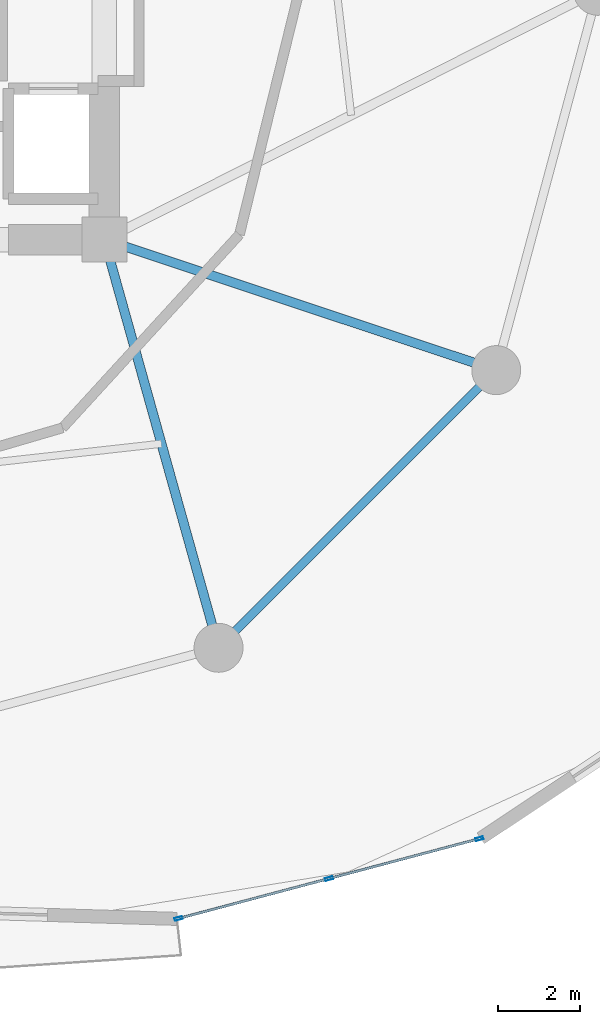
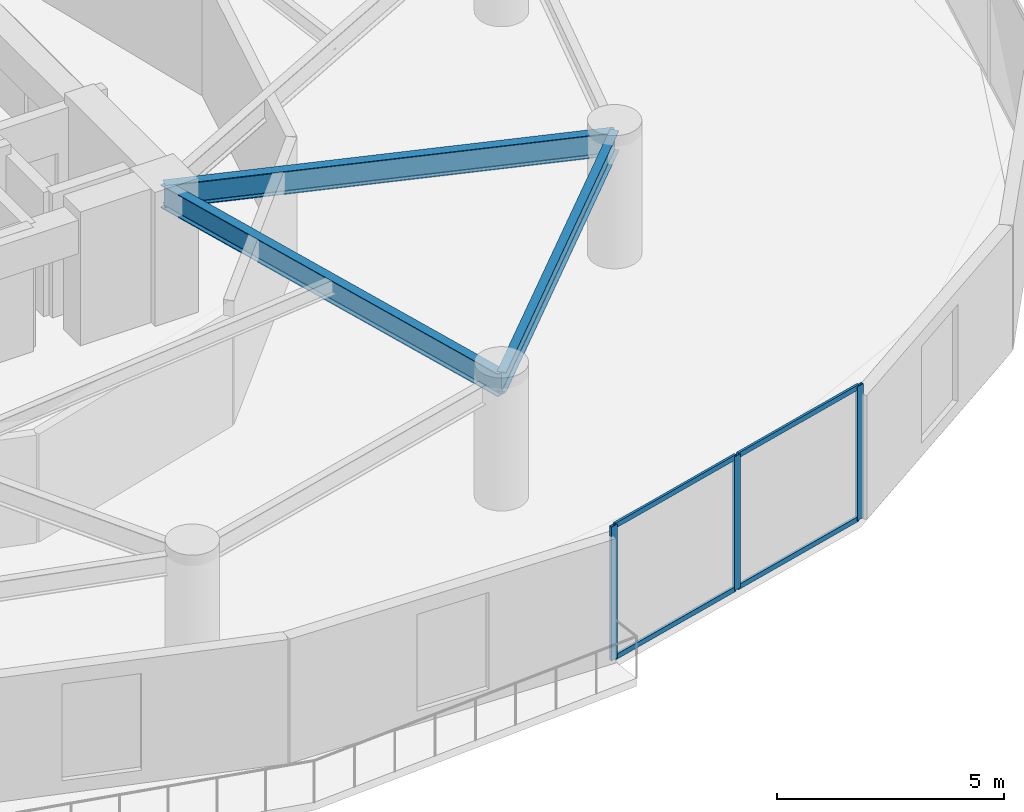
# One storey, part 8 of 24: 7 members, 3 beams, 1 element without a shape of its own.
"""IFC4 building model written with IfcOpenShell, lengths in metres."""

import ifcopenshell
import ifcopenshell.guid

model = None  # the IFC model being written
_history = None  # IfcOwnerHistory: only IFC2X3 demands one
_inside = {}  # id of a spatial element -> (the spatial element, [elements in it])
_under = {}  # id of a project, library or spatial element -> (it, [spatial elements below it])
_declared = {}  # id of a project -> (the project, [libraries it declares])
_typed = {}  # id of a type object -> (the type object, [elements of that type])
_made_of = {}  # id of a material, layer set ... -> (it, [elements and type objects made of it])


def new_model(schema):
    """Start an empty IFC model of exactly this schema.

    Asked for "IFC4X3", IfcOpenShell would pick the latest addendum, in which some entities
    have other attributes; the version numbers below select the first issue.
    IFC2X3 requires an IfcOwnerHistory on every rooted entity: one is made here for all.
    """
    global model, _history
    if schema == "IFC4X3":
        model = ifcopenshell.file(schema_version=(4, 3, 0, 0))
    else:
        model = ifcopenshell.file(schema=schema)
    _inside.clear()
    _under.clear()
    _declared.clear()
    _typed.clear()
    _made_of.clear()
    _history = None
    if model.schema == "IFC2X3":
        org = make("IfcOrganization", Name="unknown")
        user = make(
            "IfcPersonAndOrganization",
            ThePerson=make("IfcPerson", FamilyName="unknown"),
            TheOrganization=org,
        )
        app = make(
            "IfcApplication",
            ApplicationDeveloper=org,
            Version="unknown",
            ApplicationFullName="unknown",
            ApplicationIdentifier="unknown",
        )
        _history = make(
            "IfcOwnerHistory",
            OwningUser=user,
            OwningApplication=app,
            ChangeAction="ADDED",
            CreationDate=0,
        )
    return model


def make(cls, **values):
    """One entity of the class cls with the attributes given. An attribute that is None is left unset."""
    return model.create_entity(
        cls, **{name: value for name, value in values.items() if value is not None}
    )


def rooted(cls, **values):
    """An entity with a GlobalId (a new one), such as an element, a storey or a relation."""
    return make(cls, GlobalId=ifcopenshell.guid.new(), OwnerHistory=_history, **values)


def si_unit(unit_type, name, prefix=None):
    """IfcSIUnit, for example si_unit("LENGTHUNIT", "METRE", prefix="MILLI")."""
    return make("IfcSIUnit", UnitType=unit_type, Prefix=prefix, Name=name)


def assignment(units):
    """IfcUnitAssignment: the units of a project."""
    return None if units is None else make("IfcUnitAssignment", Units=units)


def point(xyz):
    """IfcCartesianPoint."""
    return None if xyz is None else make("IfcCartesianPoint", Coordinates=xyz)


def direction(xyz):
    """IfcDirection."""
    return None if xyz is None else make("IfcDirection", DirectionRatios=xyz)


def frame(location, z_axis=None, x_axis=None):
    """IfcAxis2Placement3D, a coordinate frame: its origin and axes. An axis left out is left unset."""
    return make(
        "IfcAxis2Placement3D",
        Location=point(location),
        Axis=direction(z_axis),
        RefDirection=direction(x_axis),
    )


def frame_2d(location, x_axis=None):
    """IfcAxis2Placement2D, a coordinate frame in the plane: its origin and x axis."""
    return make(
        "IfcAxis2Placement2D", Location=point(location), RefDirection=direction(x_axis)
    )


def origin():
    """The frame at (0, 0, 0) with its axes left unset."""
    return frame((0.0, 0.0, 0.0))


def origin_2d():
    """The frame at (0, 0) in the plane with its x axis left unset."""
    return frame_2d((0.0, 0.0))


def place(relative_to, where):
    """IfcLocalPlacement: puts the frame where relative to a parent placement (None: the world)."""
    return make(
        "IfcLocalPlacement", PlacementRelTo=relative_to, RelativePlacement=where
    )


def context(
    kind, dimensions, precision=None, world=None, true_north=None, identifier=None
):
    """IfcGeometricRepresentationContext, for example the 3D "Model" context."""
    return make(
        "IfcGeometricRepresentationContext",
        ContextIdentifier=identifier,
        ContextType=kind,
        CoordinateSpaceDimension=dimensions,
        Precision=precision,
        WorldCoordinateSystem=world,
        TrueNorth=true_north,
    )


def subcontext(parent, identifier, kind, view, scale=None):
    """IfcGeometricRepresentationSubContext, for example "Body" below "Model"."""
    return make(
        "IfcGeometricRepresentationSubContext",
        ContextIdentifier=identifier,
        ContextType=kind,
        ParentContext=parent,
        TargetScale=scale,
        TargetView=view,
    )


def project(units=None, contexts=None):
    """IfcProject with its units and contexts."""
    return rooted(
        "IfcProject",
        Name="project",
        RepresentationContexts=contexts,
        UnitsInContext=assignment(units),
    )


def spatial(cls, under=None, at=None, **own):
    """A site, building, storey or space (cls), placed at a placement, below another one or the project."""
    s = rooted(cls, ObjectPlacement=at, **own)
    if under is not None:
        _under.setdefault(under.id(), (under, []))[1].append(s)
    return s


def profile(cls, at=None, kind="AREA", **sizes):
    """A parametric profile (cls). Its sizes go by their IFC names, for example OverallWidth=200.0."""
    return make(cls, ProfileType=kind, Position=at, **sizes)


def hollow_rectangle(**sizes):
    """IfcRectangleHollowProfileDef."""
    return profile("IfcRectangleHollowProfileDef", **sizes)


def i_section(**sizes):
    """IfcIShapeProfileDef."""
    return profile("IfcIShapeProfileDef", **sizes)


def extrude(swept, where, along, depth):
    """IfcExtrudedAreaSolid: the profile swept, set in the frame where, extruded along a direction by depth."""
    return make(
        "IfcExtrudedAreaSolid",
        SweptArea=swept,
        Position=where,
        ExtrudedDirection=direction(along),
        Depth=depth,
    )


def shape(context_of_items, identifier, shape_type, items):
    """IfcShapeRepresentation: the items that make up one representation, for example the "Body"."""
    return make(
        "IfcShapeRepresentation",
        ContextOfItems=context_of_items,
        RepresentationIdentifier=identifier,
        RepresentationType=shape_type,
        Items=items,
    )


def source(mapping_origin, context_of_items, identifier, shape_type, items):
    """IfcRepresentationMap: a shape defined once, which mapped items show again and again."""
    return make(
        "IfcRepresentationMap",
        MappingOrigin=mapping_origin,
        MappedRepresentation=shape(context_of_items, identifier, shape_type, items),
    )


def transform(
    local_origin,
    x_axis=None,
    y_axis=None,
    z_axis=None,
    scale=None,
    scale2=None,
    scale3=None,
    uniform=True,
):
    """IfcCartesianTransformationOperator3D, or its non-uniform kind. x_axis, y_axis, z_axis: its Axis1, 2, 3."""
    if uniform:
        return make(
            "IfcCartesianTransformationOperator3D",
            Axis1=direction(x_axis),
            Axis2=direction(y_axis),
            LocalOrigin=point(local_origin),
            Scale=scale,
            Axis3=direction(z_axis),
        )
    return make(
        "IfcCartesianTransformationOperator3DnonUniform",
        Axis1=direction(x_axis),
        Axis2=direction(y_axis),
        LocalOrigin=point(local_origin),
        Scale=scale,
        Axis3=direction(z_axis),
        Scale2=scale2,
        Scale3=scale3,
    )


def mapped(mapping_source, mapping_target):
    """IfcMappedItem: shows the shape of a source again, moved by a transform."""
    return make(
        "IfcMappedItem", MappingSource=mapping_source, MappingTarget=mapping_target
    )


def material(Name=None, Category=None):
    """IfcMaterial."""
    return make("IfcMaterial", Name=Name, Category=Category)


def layer(
    of_material, thickness, ventilated=None, Name=None, Category=None, Priority=None
):
    """IfcMaterialLayer: one layer of a wall or slab, of a material (None: an air gap)."""
    return make(
        "IfcMaterialLayer",
        Material=of_material,
        LayerThickness=thickness,
        IsVentilated=ventilated,
        Name=Name,
        Category=Category,
        Priority=Priority,
    )


def layer_set(layers, Name=None):
    """IfcMaterialLayerSet."""
    return make("IfcMaterialLayerSet", MaterialLayers=layers, LayerSetName=Name)


def material_profile(
    of_material, cross_section, Name=None, Category=None, Priority=None
):
    """IfcMaterialProfile: a cross section and its material."""
    return make(
        "IfcMaterialProfile",
        Name=Name,
        Material=of_material,
        Profile=cross_section,
        Priority=Priority,
        Category=Category,
    )


def profile_set(profiles, Name=None, composite=None):
    """IfcMaterialProfileSet."""
    return make(
        "IfcMaterialProfileSet",
        Name=Name,
        MaterialProfiles=profiles,
        CompositeProfile=composite,
    )


def made_of(thing, what):
    """Note that an element or type object is made of a material, layer set ...; save() writes the relation."""
    if what is not None:
        _made_of.setdefault(what.id(), (what, []))[1].append(thing)
    return thing


def type_object(cls, material=None, **own):
    """A type object (cls), such as IfcWallType, which elements share."""
    return made_of(rooted(cls, **own), material)


def element(
    cls,
    number,
    at=None,
    inside=None,
    cuts=None,
    type_object=None,
    material=None,
    context=None,
    identifier="Body",
    shape_type=None,
    held_by="IfcProductDefinitionShape",
    body=None,
    shapes=None,
    **own,
):
    """One element of the class cls, such as IfcWall. Its Tag is "e" and its number.

    at: its placement. inside: the storey or other place that contains it. cuts: it is an
    opening in that element (IfcRelVoidsElement). A single representation is given by context,
    identifier, shape_type and body (its items); several are given by shapes. held_by: the class
    of the entity that holds the representations. save() writes the other relations.
    """
    e = rooted(cls, Tag="e%d" % number, ObjectPlacement=at, **own)
    if body is not None:
        shapes = [shape(context, identifier, shape_type, body)]
    if shapes is not None:
        e.Representation = make(held_by, Representations=shapes)
    if inside is not None:
        _inside.setdefault(inside.id(), (inside, []))[1].append(e)
    if cuts is not None:
        rooted(
            "IfcRelVoidsElement", RelatingBuildingElement=cuts, RelatedOpeningElement=e
        )
    if type_object is not None:
        _typed.setdefault(type_object.id(), (type_object, []))[1].append(e)
    return made_of(e, material)


def aggregate(whole, parts):
    """IfcRelAggregates: a whole, such as a stair, and the parts it consists of."""
    return rooted("IfcRelAggregates", RelatingObject=whole, RelatedObjects=parts)


def save(model, path):
    """Write the relations noted so far, then the file.

    IfcRelAggregates (storeys below a building ...), IfcRelContainedInSpatialStructure (elements
    in a storey), IfcRelDefinesByType, IfcRelAssociatesMaterial and IfcRelDeclares: one each for
    every whole, place, type object, material and project.
    """
    for whole, parts in _under.values():
        aggregate(whole, parts)
    for where, things in _inside.values():
        rooted(
            "IfcRelContainedInSpatialStructure",
            RelatedElements=things,
            RelatingStructure=where,
        )
    for kind, things in _typed.values():
        rooted("IfcRelDefinesByType", RelatedObjects=things, RelatingType=kind)
    for what, things in _made_of.values():
        rooted("IfcRelAssociatesMaterial", RelatedObjects=things, RelatingMaterial=what)
    for by, libraries in _declared.values():
        rooted("IfcRelDeclares", RelatingContext=by, RelatedDefinitions=libraries)
    model.write(path)


model = new_model("IFC4")

# Units and contexts
model_context = context("Model", 3, precision=1e-05, world=origin(), true_north=direction((0.0, 1.0)))
body_context = subcontext(model_context, "Body", "Model", "MODEL_VIEW")
ifc_project = project(units=[si_unit("LENGTHUNIT", "METRE"), si_unit("AREAUNIT", "SQUARE_METRE"), si_unit("VOLUMEUNIT", "CUBIC_METRE"), si_unit("PLANEANGLEUNIT", "RADIAN"), si_unit("MASSUNIT", "GRAM", prefix="KILO")], contexts=[model_context])

# Site, building, storey
site_placement = place(None, origin())
site = spatial("IfcSite", under=ifc_project, at=site_placement, CompositionType="ELEMENT")
building_placement = place(site_placement, origin())
building = spatial("IfcBuilding", under=site, at=building_placement, Name="Solvirekh Grand Hotel", CompositionType="ELEMENT")
storey_placement = place(building_placement, frame((0.0, 0.0, 86.0)))
storey = spatial("IfcBuildingStorey", under=building, at=storey_placement, Name="L21", CompositionType="ELEMENT", Elevation=86.0)

# Beams
ifc_material_1 = material(Name="Steel S355", Category="steel")
ifc_material_profile_1 = material_profile(ifc_material_1, i_section(OverallWidth=0.22802734375, OverallDepth=0.616943359375, WebThickness=0.012939453125, FlangeThickness=0.02001953125, FilletRadius=0.014892578125, at=origin_2d()), Name="W610X140")
ifc_profile_set_1 = profile_set([ifc_material_profile_1], Name="Steel S355")
beam_type_1 = type_object("IfcBeamType", Name="Beam_Radial_W610", PredefinedType="BEAM", material=ifc_profile_set_1)
beam_1_placement = place(storey_placement, frame((6.5, -6.10009765625, 3.031982421875), z_axis=(0.269439084681, -0.963017434757, 0.0), x_axis=(0.963017434757, 0.269439084681, 0.0)))
element("IfcBeam", 1, at=beam_1_placement, inside=storey, type_object=beam_type_1, Name="L21 radial floor beam R11", PredefinedType="BEAM", context=body_context, shape_type="SweptSolid", body=[
    extrude(i_section(OverallWidth=0.22802734375, OverallDepth=0.616943359375, WebThickness=0.012939453125, FlangeThickness=0.02001953125, FilletRadius=0.014892578125, at=origin_2d()), origin(), (0.0, 0.0, 1.0), 10.39208984375),
])
beam_2_placement = place(storey_placement, frame((6.5, -6.10009765625, 3.031982421875), z_axis=(0.948762825819, -0.315989082635, 0.0), x_axis=(0.315989082635, 0.948762825819, 0.0)))
element("IfcBeam", 2, at=beam_2_placement, inside=storey, type_object=beam_type_1, Name="L21 radial floor beam R12", PredefinedType="BEAM", context=body_context, shape_type="SweptSolid", body=[
    extrude(i_section(OverallWidth=0.22802734375, OverallDepth=0.616943359375, WebThickness=0.012939453125, FlangeThickness=0.02001953125, FilletRadius=0.014892578125, at=origin_2d()), origin(), (0.0, 0.0, 1.0), 10.126708984375),
])
ifc_material_profile_2 = material_profile(ifc_material_1, i_section(OverallWidth=0.208984375, OverallDepth=0.532958984375, WebThickness=0.010009765625, FlangeThickness=0.014892578125, FilletRadius=0.013916015625, at=origin_2d()), Name="W530X92")
ifc_profile_set_2 = profile_set([ifc_material_profile_2], Name="Steel S355")
beam_type_2 = type_object("IfcBeamType", Name="Spandrel_Ring_W530", PredefinedType="SPANDREL", material=ifc_profile_set_2)
beam_3_placement = place(storey_placement, frame((9.300048828125, -16.10791015625, 3.073974609375), z_axis=(0.707106781187, 0.707106781187, 0.0), x_axis=(-0.707106781187, 0.707106781187, 0.0)))
element("IfcBeam", 3, at=beam_3_placement, inside=storey, type_object=beam_type_2, Name="L21 perimeter spandrel beam 11", PredefinedType="SPANDREL", context=body_context, shape_type="SweptSolid", body=[
    extrude(i_section(OverallWidth=0.208984375, OverallDepth=0.532958984375, WebThickness=0.010009765625, FlangeThickness=0.014892578125, FilletRadius=0.013916015625, at=origin_2d()), origin(), (0.0, 0.0, 1.0), 9.627685546875),
])

# Curtain wall, members
ifc_material_2 = material(Name="Anodized Bronze Aluminium 6063-T6", Category="aluminium")
ifc_layer = layer(ifc_material_2, 0.18994140625)
ifc_layer_set = layer_set([ifc_layer], Name="Anodized Bronze Aluminium 6063-T6")
curtain_wall_type = type_object("IfcCurtainWallType", Name="CW_Sys2_LowZoneFlushBronzeCW", PredefinedType="NOTDEFINED", material=ifc_layer_set)
curtain_wall_placement = place(storey_placement, origin())
curtain_wall = element("IfcCurtainWall", 4, at=curtain_wall_placement, inside=storey, type_object=curtain_wall_type, Name="L21 unitised bronze-glass curtain wall CW-L21-C18", PredefinedType="NOTDEFINED")
ifc_material_profile_3 = material_profile(ifc_material_2, hollow_rectangle(XDim=0.070068359375, YDim=0.18994140625, WallThickness=0.0048828125, at=origin_2d()), Name="ALU RHS 190X70X5")
ifc_profile_set_3 = profile_set([ifc_material_profile_3], Name="Anodized Bronze Aluminium 6063-T6")
member_type_1 = type_object("IfcMemberType", Name="CWMullion_Sys2", PredefinedType="MULLION", material=ifc_profile_set_3)
shared_shape_1 = source(origin(), body_context, "Body", "SweptSolid", [
    extrude(hollow_rectangle(XDim=0.070068359375, YDim=0.18994140625, WallThickness=0.0048828125, at=origin_2d()), origin(), (0.0, 0.0, 1.0), 3.60009765625),
])
member_1_placement = place(storey_placement, frame((8.31591796875, -22.74609375, 0.0), z_axis=(0.0, 0.0, 1.0), x_axis=(-0.256313452144, 0.966593717262, 0.0)))
member_1 = element("IfcMember", 5, at=member_1_placement, type_object=member_type_1, Name="U02 mullion 1", PredefinedType="MULLION", context=body_context, shape_type="MappedRepresentation", body=[
    mapped(shared_shape_1, transform((0.0, 0.0, 0.0), x_axis=(1.0, 0.0, 0.0), y_axis=(0.0, 1.0, 0.0), z_axis=(0.0, 0.0, 1.0), scale=1.0)),
])
member_2_placement = place(storey_placement, frame((12.006103515625, -21.767578125, 0.0), z_axis=(0.0, 0.0, 1.0), x_axis=(-0.256313452144, 0.966593717262, 0.0)))
member_2 = element("IfcMember", 6, at=member_2_placement, type_object=member_type_1, Name="U02 mullion 2", PredefinedType="MULLION", context=body_context, shape_type="MappedRepresentation", body=[
    mapped(shared_shape_1, transform((0.0, 0.0, 0.0), x_axis=(1.0, 0.0, 0.0), y_axis=(0.0, 1.0, 0.0), z_axis=(0.0, 0.0, 1.0), scale=1.0)),
])
member_3_placement = place(storey_placement, frame((15.6962890625, -20.7890625, 0.0), z_axis=(0.0, 0.0, 1.0), x_axis=(-0.256313452144, 0.966593717262, 0.0)))
member_3 = element("IfcMember", 7, at=member_3_placement, type_object=member_type_1, Name="U02 mullion 3", PredefinedType="MULLION", context=body_context, shape_type="MappedRepresentation", body=[
    mapped(shared_shape_1, transform((0.0, 0.0, 0.0), x_axis=(1.0, 0.0, 0.0), y_axis=(0.0, 1.0, 0.0), z_axis=(0.0, 0.0, 1.0), scale=1.0)),
])
ifc_material_profile_4 = material_profile(ifc_material_2, hollow_rectangle(XDim=0.06005859375, YDim=0.135009765625, WallThickness=0.00390625, at=origin_2d()), Name="ALU RHS 135X60X4")
ifc_profile_set_4 = profile_set([ifc_material_profile_4], Name="Anodized Bronze Aluminium 6063-T6")
member_type_2 = type_object("IfcMemberType", Name="CWTransom_Sys2", PredefinedType="USERDEFINED", material=ifc_profile_set_4)
shared_shape_2 = source(origin(), body_context, "Body", "SweptSolid", [
    extrude(hollow_rectangle(XDim=0.06005859375, YDim=0.135009765625, WallThickness=0.00390625, at=origin_2d()), origin(), (0.0, 0.0, 1.0), 3.747802734375),
])
member_4_placement = place(storey_placement, frame((8.349609375, -22.737060546875, 0.030029296875), z_axis=(0.96658758462, 0.256336578075, 0.0), x_axis=(-0.256336578075, 0.96658758462, 0.0)))
member_4 = element("IfcMember", 8, at=member_4_placement, type_object=member_type_2, Name="U02 transom 1.1", ObjectType="TRANSOM", PredefinedType="USERDEFINED", context=body_context, shape_type="MappedRepresentation", body=[
    mapped(shared_shape_2, transform((0.0, 0.0, 0.0), x_axis=(1.0, 0.0, 0.0), y_axis=(0.0, 1.0, 0.0), z_axis=(0.0, 0.0, 1.0), scale=1.0)),
])
member_5_placement = place(storey_placement, frame((8.349609375, -22.737060546875, 3.570068359375), z_axis=(0.96658758462, 0.256336578075, 0.0), x_axis=(-0.256336578075, 0.96658758462, 0.0)))
member_5 = element("IfcMember", 9, at=member_5_placement, type_object=member_type_2, Name="U02 transom 1.2", ObjectType="TRANSOM", PredefinedType="USERDEFINED", context=body_context, shape_type="MappedRepresentation", body=[
    mapped(shared_shape_2, transform((0.0, 0.0, 0.0), x_axis=(1.0, 0.0, 0.0), y_axis=(0.0, 1.0, 0.0), z_axis=(0.0, 0.0, 1.0), scale=1.0)),
])
member_6_placement = place(storey_placement, frame((12.039794921875, -21.758544921875, 0.030029296875), z_axis=(0.96658758462, 0.256336578075, 0.0), x_axis=(-0.256336578075, 0.96658758462, 0.0)))
member_6 = element("IfcMember", 10, at=member_6_placement, type_object=member_type_2, Name="U02 transom 2.1", ObjectType="TRANSOM", PredefinedType="USERDEFINED", context=body_context, shape_type="MappedRepresentation", body=[
    mapped(shared_shape_2, transform((0.0, 0.0, 0.0), x_axis=(1.0, 0.0, 0.0), y_axis=(0.0, 1.0, 0.0), z_axis=(0.0, 0.0, 1.0), scale=1.0)),
])
member_7_placement = place(storey_placement, frame((12.039794921875, -21.758544921875, 3.570068359375), z_axis=(0.96658758462, 0.256336578075, 0.0), x_axis=(-0.256336578075, 0.96658758462, 0.0)))
member_7 = element("IfcMember", 11, at=member_7_placement, type_object=member_type_2, Name="U02 transom 2.2", ObjectType="TRANSOM", PredefinedType="USERDEFINED", context=body_context, shape_type="MappedRepresentation", body=[
    mapped(shared_shape_2, transform((0.0, 0.0, 0.0), x_axis=(1.0, 0.0, 0.0), y_axis=(0.0, 1.0, 0.0), z_axis=(0.0, 0.0, 1.0), scale=1.0)),
])
aggregate(curtain_wall, [member_1, member_2, member_3, member_4, member_5, member_6, member_7])

save(model, "model.ifc")
